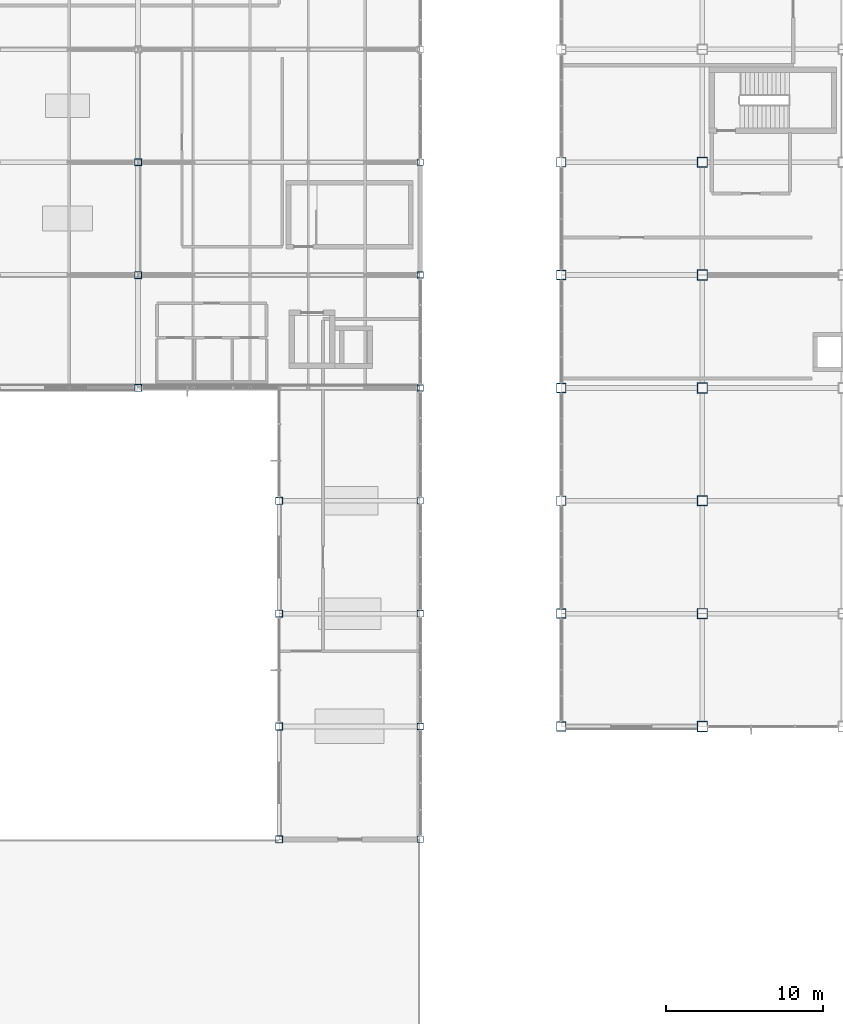
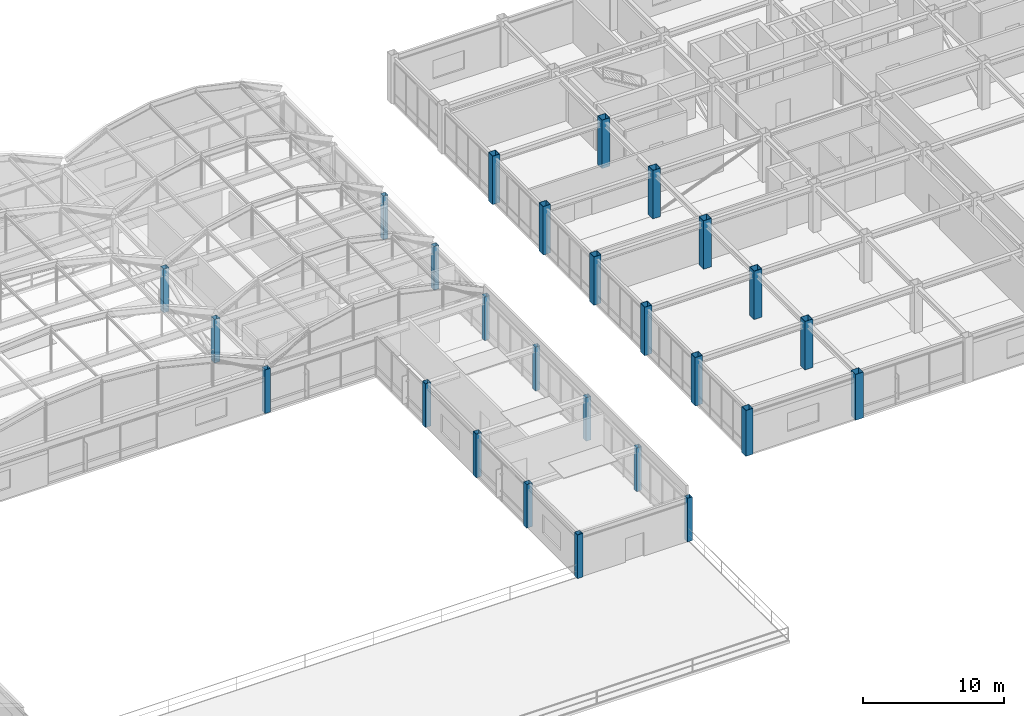
# One storey, part 4 of 106: 26 columns.
"""IFC4 building model written with IfcOpenShell, lengths in metres."""

from ifc_helpers import new_model, si_unit, direction, frame, origin, origin_2d, place, context, subcontext, project, spatial, hollow_rectangle, extrude, material, material_profile, profile_set, type_object, element, save


model = new_model("IFC4")

# Units and contexts
model_context = context("Model", 3, precision=1e-05, world=origin(), true_north=direction((0.0, 1.0)))
body_context = subcontext(model_context, "Body", "Model", "MODEL_VIEW")
ifc_project = project(units=[si_unit("LENGTHUNIT", "METRE"), si_unit("AREAUNIT", "SQUARE_METRE"), si_unit("VOLUMEUNIT", "CUBIC_METRE"), si_unit("PLANEANGLEUNIT", "RADIAN"), si_unit("MASSUNIT", "GRAM", prefix="KILO")], contexts=[model_context])

# Site, building, storey
site_placement = place(None, origin())
site = spatial("IfcSite", under=ifc_project, at=site_placement, CompositionType="ELEMENT")
building_placement = place(site_placement, origin())
building = spatial("IfcBuilding", under=site, at=building_placement, Name="Kazanami Central Library", CompositionType="ELEMENT")
storey_placement = place(building_placement, frame((0.0, 0.0, 12.800048828125)))
storey = spatial("IfcBuildingStorey", under=building, at=storey_placement, Name="L04", CompositionType="ELEMENT", Elevation=12.800048828125)

# Columns
ifc_material = material(Name="Steel BCP325 (325 MPa)", Category="steel")
ifc_material_profile_1 = material_profile(ifc_material, hollow_rectangle(XDim=0.39990234375, YDim=0.39990234375, WallThickness=0.01611328125, at=origin_2d()), Name="BCP-400x400x16")
ifc_profile_set_1 = profile_set([ifc_material_profile_1], Name="Steel BCP325 (325 MPa)")
column_type_1 = type_object("IfcColumnType", Name="COL-C-P3E", PredefinedType="COLUMN", material=ifc_profile_set_1)
for number, where, z_axis, x_axis, name in (
    (1, (108.0, 36.0, 0.0), (0.0, 0.0, 1.0), (1.0, 0.0, 0.0), "Column C-P3E L04 13/F"),
    (2, (108.0, 43.199951171875, 0.0), (0.0, 0.0, 1.0), (1.0, 0.0, 0.0), "Column C-P3E L04 13/G"),
    (3, (108.0, 50.39990234375, 0.0), (0.0, 0.0, 1.0), (1.0, 0.0, 0.0), "Column C-P3E L04 13/H"),
    (4, (108.0, 57.60009765625, 0.0), (0.0, 0.0, 1.0), (1.0, 0.0, 0.0), "Column C-P3E L04 13/J"),
    (5, (108.0, 64.800048828125, 0.0), (0.0, 0.0, 1.0), (1.0, 0.0, 0.0), "Column C-P3E L04 13/K"),
    (6, (108.0, 72.0, 0.0), (0.0, 0.0, 1.0), (1.0, 0.0, 0.0), "Column C-P3E L04 13/L"),
    (7, (108.0, 79.199951171875, 0.0), (0.0, 0.0, 1.0), (1.0, 0.0, 0.0), "Column C-P3E L04 13/M"),
):
    element("IfcColumn", number, at=place(storey_placement, frame(where, z_axis=z_axis, x_axis=x_axis)), inside=storey, type_object=column_type_1, Name=name, PredefinedType="COLUMN", context=body_context, shape_type="SweptSolid", body=[
        extrude(hollow_rectangle(XDim=0.39990234375, YDim=0.39990234375, WallThickness=0.01611328125, at=origin_2d()), origin(), (0.0, 0.0, 1.0), 3.780029296875),
    ])
ifc_material_profile_2 = material_profile(ifc_material, hollow_rectangle(XDim=0.449951171875, YDim=0.449951171875, WallThickness=0.01904296875, at=origin_2d()), Name="BCP-450x450x19")
ifc_profile_set_2 = profile_set([ifc_material_profile_2], Name="Steel BCP325 (325 MPa)")
column_type_2 = type_object("IfcColumnType", Name="COL-C-P3I", PredefinedType="COLUMN", material=ifc_profile_set_2)
for number, where, z_axis, x_axis, name in (
    (8, (90.0, 64.800048828125, 0.0), (0.0, 0.0, 1.0), (1.0, 0.0, 0.0), "Column C-P3I L04 11/K"),
    (9, (90.0, 72.0, 0.0), (0.0, 0.0, 1.0), (1.0, 0.0, 0.0), "Column C-P3I L04 11/L"),
    (10, (90.0, 79.199951171875, 0.0), (0.0, 0.0, 1.0), (1.0, 0.0, 0.0), "Column C-P3I L04 11/M"),
    (11, (99.0, 36.0, 0.0), (0.0, 0.0, 1.0), (1.0, 0.0, 0.0), "Column C-P3I L04 12/F"),
    (12, (99.0, 43.199951171875, 0.0), (0.0, 0.0, 1.0), (1.0, 0.0, 0.0), "Column C-P3I L04 12/G"),
    (13, (99.0, 50.39990234375, 0.0), (0.0, 0.0, 1.0), (1.0, 0.0, 0.0), "Column C-P3I L04 12/H"),
    (14, (99.0, 57.60009765625, 0.0), (0.0, 0.0, 1.0), (1.0, 0.0, 0.0), "Column C-P3I L04 12/J"),
):
    element("IfcColumn", number, at=place(storey_placement, frame(where, z_axis=z_axis, x_axis=x_axis)), inside=storey, type_object=column_type_2, Name=name, PredefinedType="COLUMN", context=body_context, shape_type="SweptSolid", body=[
        extrude(hollow_rectangle(XDim=0.449951171875, YDim=0.449951171875, WallThickness=0.01904296875, at=origin_2d()), origin(), (0.0, 0.0, 1.0), 3.780029296875),
    ])
ifc_material_profile_3 = material_profile(ifc_material, hollow_rectangle(XDim=0.64990234375, YDim=0.64990234375, WallThickness=0.02490234375, at=origin_2d()), Name="BCP-650x650x25")
ifc_profile_set_3 = profile_set([ifc_material_profile_3], Name="Steel BCP325 (325 MPa)")
column_type_3 = type_object("IfcColumnType", Name="COL-C-T2I", PredefinedType="COLUMN", material=ifc_profile_set_3)
column_1_placement = place(storey_placement, frame((126.0, 43.199951171875, 0.0), z_axis=(0.0, 0.0, 1.0), x_axis=(1.0, 0.0, 0.0)))
element("IfcColumn", 15, at=column_1_placement, inside=storey, type_object=column_type_3, Name="Column C-T2I L04 15/G", PredefinedType="COLUMN", context=body_context, shape_type="SweptSolid", body=[
    extrude(hollow_rectangle(XDim=0.64990234375, YDim=0.64990234375, WallThickness=0.02490234375, at=origin_2d()), origin(), (0.0, 0.0, 1.0), 3.974853515625),
])
for number, where, z_axis, x_axis, name in (
    (16, (126.0, 50.39990234375, 0.0), (0.0, 0.0, 1.0), (1.0, 0.0, 0.0), "Column C-T2I L04 15/H"),
    (17, (126.0, 57.60009765625, 0.0), (0.0, 0.0, 1.0), (1.0, 0.0, 0.0), "Column C-T2I L04 15/J"),
    (18, (126.0, 64.800048828125, 0.0), (0.0, 0.0, 1.0), (1.0, 0.0, 0.0), "Column C-T2I L04 15/K"),
    (19, (126.0, 72.0, 0.0), (0.0, 0.0, 1.0), (1.0, 0.0, 0.0), "Column C-T2I L04 15/L"),
    (20, (126.0, 79.199951171875, 0.0), (0.0, 0.0, 1.0), (1.0, 0.0, 0.0), "Column C-T2I L04 15/M"),
):
    element("IfcColumn", number, at=place(storey_placement, frame(where, z_axis=z_axis, x_axis=x_axis)), inside=storey, type_object=column_type_3, Name=name, PredefinedType="COLUMN", context=body_context, shape_type="SweptSolid", body=[
        extrude(hollow_rectangle(XDim=0.64990234375, YDim=0.64990234375, WallThickness=0.02490234375, at=origin_2d()), origin(), (0.0, 0.0, 1.0), 4.199951171875),
    ])
ifc_material_profile_4 = material_profile(ifc_material, hollow_rectangle(XDim=0.60009765625, YDim=0.60009765625, WallThickness=0.02490234375, at=origin_2d()), Name="BCP-600x600x25")
ifc_profile_set_4 = profile_set([ifc_material_profile_4], Name="Steel BCP325 (325 MPa)")
column_type_4 = type_object("IfcColumnType", Name="COL-C-T2P", PredefinedType="COLUMN", material=ifc_profile_set_4)
column_2_placement = place(storey_placement, frame((117.0, 43.199951171875, 0.0), z_axis=(0.0, 0.0, 1.0), x_axis=(1.0, 0.0, 0.0)))
element("IfcColumn", 21, at=column_2_placement, inside=storey, type_object=column_type_4, Name="Column C-T2P L04 14/G", PredefinedType="COLUMN", context=body_context, shape_type="SweptSolid", body=[
    extrude(hollow_rectangle(XDim=0.60009765625, YDim=0.60009765625, WallThickness=0.02490234375, at=origin_2d()), origin(), (0.0, 0.0, 1.0), 3.974853515625),
])
for number, where, z_axis, x_axis, name in (
    (22, (117.0, 50.39990234375, 0.0), (0.0, 0.0, 1.0), (1.0, 0.0, 0.0), "Column C-T2P L04 14/H"),
    (23, (117.0, 57.60009765625, 0.0), (0.0, 0.0, 1.0), (1.0, 0.0, 0.0), "Column C-T2P L04 14/J"),
    (24, (117.0, 64.800048828125, 0.0), (0.0, 0.0, 1.0), (1.0, 0.0, 0.0), "Column C-T2P L04 14/K"),
    (25, (117.0, 72.0, 0.0), (0.0, 0.0, 1.0), (1.0, 0.0, 0.0), "Column C-T2P L04 14/L"),
    (26, (117.0, 79.199951171875, 0.0), (0.0, 0.0, 1.0), (1.0, 0.0, 0.0), "Column C-T2P L04 14/M"),
):
    element("IfcColumn", number, at=place(storey_placement, frame(where, z_axis=z_axis, x_axis=x_axis)), inside=storey, type_object=column_type_4, Name=name, PredefinedType="COLUMN", context=body_context, shape_type="SweptSolid", body=[
        extrude(hollow_rectangle(XDim=0.60009765625, YDim=0.60009765625, WallThickness=0.02490234375, at=origin_2d()), origin(), (0.0, 0.0, 1.0), 4.199951171875),
    ])

save(model, "model.ifc")
